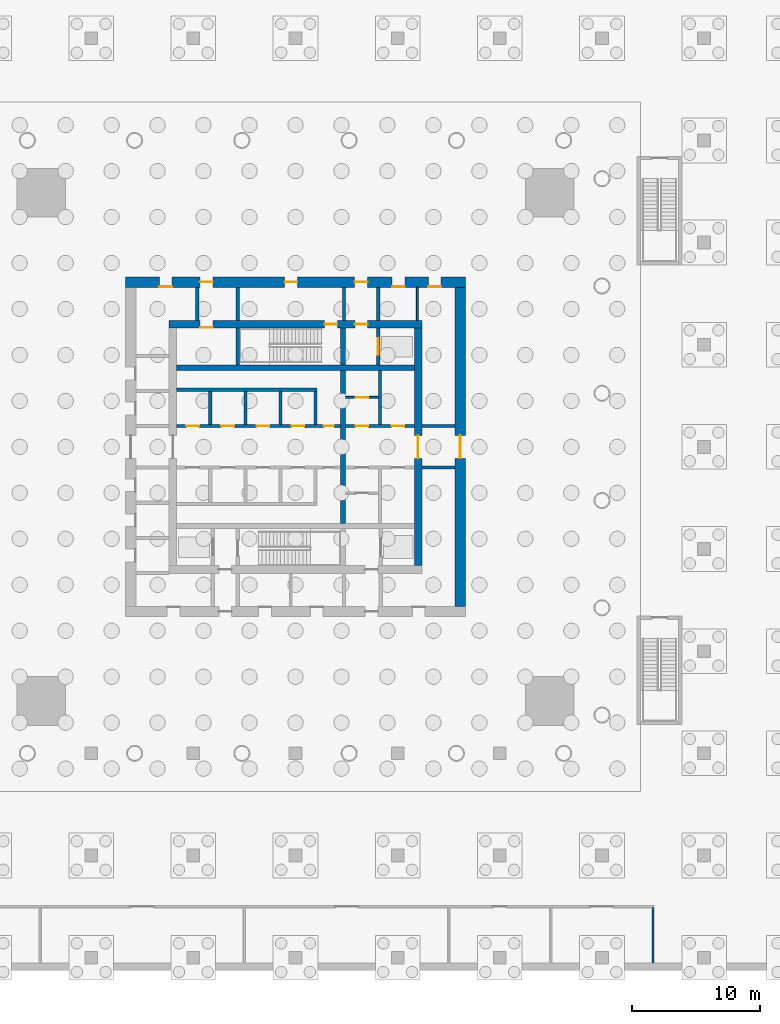
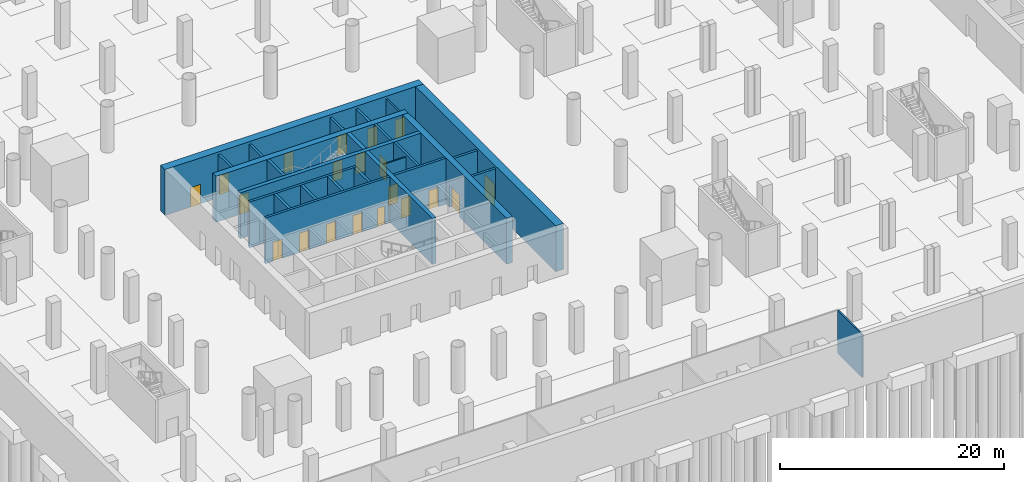
# One storey, part 13 of 24: 26 walls, 20 doors, 20 openings.
"""IFC4 building model written with IfcOpenShell, lengths in metres."""

from ifc_helpers import new_model, si_unit, direction, frame, frame_2d, origin, place, context, subcontext, project, spatial, rectangle, extrude, material, layer, layer_set, type_object, element, fill, save


model = new_model("IFC4")

# Units and contexts
model_context = context("Model", 3, precision=1e-05, world=origin(), true_north=direction((0.0, 1.0)))
body_context = subcontext(model_context, "Body", "Model", "MODEL_VIEW")
ifc_project = project(units=[si_unit("LENGTHUNIT", "METRE"), si_unit("AREAUNIT", "SQUARE_METRE"), si_unit("VOLUMEUNIT", "CUBIC_METRE"), si_unit("PLANEANGLEUNIT", "RADIAN"), si_unit("MASSUNIT", "GRAM", prefix="KILO")], contexts=[model_context])

# Site, building, storey
site_placement = place(None, origin())
site = spatial("IfcSite", under=ifc_project, at=site_placement, CompositionType="ELEMENT")
building_placement = place(site_placement, origin())
building = spatial("IfcBuilding", under=site, at=building_placement, Name="Ostroluk Exchange", CompositionType="ELEMENT")
storey_placement = place(building_placement, frame((0.0, 0.0, -10.0)))
storey = spatial("IfcBuildingStorey", under=building, at=storey_placement, Name="B2", CompositionType="ELEMENT", Elevation=-10.0)

# Wall, opening, door
ifc_material_1 = material(Name="Concrete blockwork", Category="masonry")
ifc_layer_1 = layer(ifc_material_1, 0.14990234375)
ifc_layer_set_1 = layer_set([ifc_layer_1], Name="Blockwork plant room wall 150")
wall_type_1 = type_object("IfcWallType", Name="Blockwork plant room wall 150", PredefinedType="SOLIDWALL", material=ifc_layer_set_1)
wall_1_placement = place(storey_placement, frame((48.929931640625, 49.875, 0.0), z_axis=(0.0, 0.0, 1.0), x_axis=(1.0, 0.0, 0.0)))
wall_1 = element("IfcWall", 1, at=wall_1_placement, inside=storey, type_object=wall_type_1, Name="Core room wall", PredefinedType="SOLIDWALL", context=body_context, shape_type="SweptSolid", body=[
    extrude(rectangle(XDim=2.56005859375, YDim=0.14990234375, at=frame_2d((1.280029296875, 0.0))), origin(), (0.0, 0.0, 1.0), 4.699951171875),
])
opening_1_placement = place(wall_1_placement, frame((0.780029296875, 0.0, 0.0)))
opening_1 = element("IfcOpeningElement", 2, at=opening_1_placement, cuts=wall_1, Name="Opening FD60", PredefinedType="OPENING", context=body_context, shape_type="SweptSolid", body=[
    extrude(rectangle(XDim=1.0, YDim=2.10009765625, at=frame_2d((0.5, 1.050048828125))), frame((0.0, 0.0849609375, 0.0), z_axis=(0.0, -1.0, 0.0), x_axis=(1.0, 0.0, 0.0)), (0.0, 0.0, 1.0), 0.169921875),
])
ifc_material_2 = material(Name="Steel", Category="steel")
door_type_1 = type_object("IfcDoorType", Name="Fire door EI 60 1000 x 2100", OperationType="SINGLE_SWING_LEFT", PredefinedType="DOOR", material=ifc_material_2)
door_1_placement = place(opening_1_placement, origin())
door_1 = element("IfcDoor", 3, at=door_1_placement, inside=storey, type_object=door_type_1, Name="Equipment store door", OperationType="SINGLE_SWING_LEFT", OverallHeight=2.10009765625, OverallWidth=1.0, PredefinedType="DOOR", context=body_context, shape_type="SweptSolid", body=[
    extrude(rectangle(XDim=1.0, YDim=2.10009765625, at=frame_2d((0.5, 1.050048828125))), frame((0.0, 0.02490234375, 0.0), z_axis=(0.0, -1.0, 0.0), x_axis=(1.0, 0.0, 0.0)), (0.0, 0.0, 1.0), 0.050048828125),
])
fill(opening_1, door_1)

# Walls
wall_2_placement = place(storey_placement, frame((54.550048828125, 55.89990234375, 0.0), z_axis=(0.0, 0.0, 1.0), x_axis=(0.0, 1.0, 0.0)))
element("IfcWall", 4, at=wall_2_placement, inside=storey, type_object=wall_type_1, Name="Core room wall", PredefinedType="SOLIDWALL", context=body_context, shape_type="SweptSolid", body=[
    extrude(rectangle(XDim=2.60009765625, YDim=0.14990234375, at=frame_2d((1.300048828125, 0.0))), origin(), (0.0, 0.0, 1.0), 4.699951171875),
])
ifc_material_3 = material(Name="Concrete blockwork", Category="masonry")
ifc_layer_2 = layer(ifc_material_3, 0.25)
ifc_layer_set_2 = layer_set([ifc_layer_2], Name="Blockwork stair enclosure wall 250")
wall_type_2 = type_object("IfcWallType", Name="Blockwork stair enclosure wall 250", PredefinedType="SOLIDWALL", material=ifc_layer_set_2)
for number, where, z_axis, x_axis, name in (
    (5, (48.804931640625, 55.89990234375, 0.0), (0.0, 0.0, 1.0), (0.0, 1.0, 0.0), "Fire lobby enclosure wall"),
    (6, (51.47509765625, 55.89990234375, 0.0), (0.0, 0.0, 1.0), (0.0, 1.0, 0.0), "Fire lobby enclosure wall"),
    (7, (54.89990234375, 44.375, 0.0), (0.0, 0.0, 1.0), (1.0, 0.0, 0.0), "Lift lobby enclosure wall"),
    (8, (54.89990234375, 47.625, 0.0), (0.0, 0.0, 1.0), (1.0, 0.0, 0.0), "Lift lobby enclosure wall"),
    (9, (40.47509765625, 55.89990234375, 0.0), (0.0, 0.0, 1.0), (0.0, 1.0, 0.0), "Stair lobby enclosure wall"),
    (10, (37.300048828125, 55.89990234375, 0.0), (0.0, 0.0, 1.0), (0.0, 1.0, 0.0), "Core corridor wall"),
):
    element("IfcWall", number, at=place(storey_placement, frame(where, z_axis=z_axis, x_axis=x_axis)), inside=storey, type_object=wall_type_2, Name=name, PredefinedType="SOLIDWALL", context=body_context, shape_type="SweptSolid", body=[
        extrude(rectangle(XDim=2.60009765625, YDim=0.25, at=frame_2d((1.300048828125, 0.0))), origin(), (0.0, 0.0, 1.0), 4.699951171875),
    ])
ifc_material_4 = material(Name="Concrete C50/60", Category="concrete")
ifc_layer_3 = layer(ifc_material_4, 0.39990234375)
ifc_layer_set_3 = layer_set([ifc_layer_3], Name="Core cross wall 400 C50/60")
wall_type_3 = type_object("IfcWallType", Name="Core cross wall 400 C50/60", PredefinedType="SHEAR", material=ifc_layer_set_3)
wall_3_placement = place(storey_placement, frame((35.699951171875, 52.199951171875, 0.0), z_axis=(0.0, 0.0, 1.0), x_axis=(1.0, 0.0, 0.0)))
element("IfcWall", 11, at=wall_3_placement, inside=storey, type_object=wall_type_3, Name="T1 core wall XN", PredefinedType="SHEAR", context=body_context, shape_type="SweptSolid", body=[
    extrude(rectangle(XDim=18.60009765625, YDim=0.39990234375, at=frame_2d((9.300048828125, 0.0))), origin(), (0.0, 0.0, 1.0), 5.0),
])
wall_4_placement = place(storey_placement, frame((48.72998046875, 40.0, 0.0), z_axis=(0.0, 0.0, 1.0), x_axis=(0.0, 1.0, 0.0)))
element("IfcWall", 12, at=wall_4_placement, inside=storey, type_object=wall_type_3, Name="T1 core wall YE2", PredefinedType="SHEAR", context=body_context, shape_type="SweptSolid", body=[
    extrude(rectangle(XDim=12.0, YDim=0.39990234375, at=frame_2d((6.0, 0.0))), origin(), (0.0, 0.0, 1.0), 5.0),
])
wall_5_placement = place(storey_placement, frame((48.72998046875, 52.39990234375, 0.0), z_axis=(0.0, 0.0, 1.0), x_axis=(0.0, 1.0, 0.0)))
element("IfcWall", 13, at=wall_5_placement, inside=storey, type_object=wall_type_3, Name="T1 core wall YE3", PredefinedType="SHEAR", context=body_context, shape_type="SweptSolid", body=[
    extrude(rectangle(XDim=2.900146484375, YDim=0.39990234375, at=frame_2d((1.4501953125, 0.0))), origin(), (0.0, 0.0, 1.0), 5.0),
])
ifc_material_5 = material(Name="Concrete C40/50", Category="concrete")
ifc_layer_4 = layer(ifc_material_5, 0.25)
ifc_layer_set_4 = layer_set([ifc_layer_4], Name="Core shaft wall 250")
wall_type_4 = type_object("IfcWallType", Name="Core shaft wall 250", PredefinedType="SHEAR", material=ifc_layer_set_4)
wall_6_placement = place(storey_placement, frame((40.47509765625, 52.39990234375, 0.0), z_axis=(0.0, 0.0, 1.0), x_axis=(0.0, 1.0, 0.0)))
element("IfcWall", 14, at=wall_6_placement, inside=storey, type_object=wall_type_4, Name="Stair shaft wall", PredefinedType="SHEAR", context=body_context, shape_type="SweptSolid", body=[
    extrude(rectangle(XDim=2.900146484375, YDim=0.25, at=frame_2d((1.4501953125, 0.0))), origin(), (0.0, 0.0, 1.0), 5.0),
])

# Wall, opening, door
wall_7_placement = place(storey_placement, frame((51.47509765625, 52.39990234375, 0.0), z_axis=(0.0, 0.0, 1.0), x_axis=(0.0, 1.0, 0.0)))
wall_7 = element("IfcWall", 15, at=wall_7_placement, inside=storey, type_object=wall_type_4, Name="Firefighting lift shaft wall", PredefinedType="SHEAR", context=body_context, shape_type="SweptSolid", body=[
    extrude(rectangle(XDim=2.900146484375, YDim=0.25, at=frame_2d((1.4501953125, 0.0))), origin(), (0.0, 0.0, 1.0), 5.0),
])
opening_2_placement = place(wall_7_placement, frame((0.800048828125, 0.0, 0.0)))
opening_2 = element("IfcOpeningElement", 16, at=opening_2_placement, cuts=wall_7, Name="Opening LD2", PredefinedType="OPENING", context=body_context, shape_type="SweptSolid", body=[
    extrude(rectangle(XDim=1.300048828125, YDim=2.199951171875, at=frame_2d((0.64990234375, 1.10009765625))), frame((0.0, 0.135009765625, 0.0), z_axis=(0.0, -1.0, 0.0), x_axis=(1.0, 0.0, 0.0)), (0.0, 0.0, 1.0), 0.27001953125),
])
ifc_material_6 = material(Name="Stainless steel", Category="steel")
door_type_2 = type_object("IfcDoorType", Name="Lift landing door E 60 1300 x 2200", OperationType="DOUBLE_DOOR_SLIDING", PredefinedType="DOOR", material=ifc_material_6)
door_2_placement = place(opening_2_placement, origin())
door_2 = element("IfcDoor", 17, at=door_2_placement, inside=storey, type_object=door_type_2, Name="Lift FL2 landing door", OperationType="DOUBLE_DOOR_SLIDING", OverallHeight=2.199951171875, OverallWidth=1.300048828125, PredefinedType="DOOR", context=body_context, shape_type="SweptSolid", body=[
    extrude(rectangle(XDim=1.300048828125, YDim=2.199951171875, at=frame_2d((0.64990234375, 1.10009765625))), frame((0.0, 0.02490234375, 0.0), z_axis=(0.0, -1.0, 0.0), x_axis=(1.0, 0.0, 0.0)), (0.0, 0.0, 1.0), 0.050048828125),
])
fill(opening_2, door_2)

# Walls
for number, where, z_axis, x_axis, name in (
    (18, (38.324951171875, 47.75, 0.0), (0.0, 0.0, 1.0), (0.0, 1.0, 0.0), "Lift shaft wall"),
    (19, (41.074951171875, 47.75, 0.0), (0.0, 0.0, 1.0), (0.0, 1.0, 0.0), "Lift shaft wall"),
    (20, (43.824951171875, 47.75, 0.0), (0.0, 0.0, 1.0), (0.0, 1.0, 0.0), "Lift shaft wall"),
    (21, (46.574951171875, 47.75, 0.0), (0.0, 0.0, 1.0), (0.0, 1.0, 0.0), "Lift shaft wall"),
):
    element("IfcWall", number, at=place(storey_placement, frame(where, z_axis=z_axis, x_axis=x_axis)), inside=storey, type_object=wall_type_4, Name=name, PredefinedType="SHEAR", context=body_context, shape_type="SweptSolid", body=[
        extrude(rectangle(XDim=2.60009765625, YDim=0.25, at=frame_2d((1.300048828125, 0.0))), origin(), (0.0, 0.0, 1.0), 5.0),
    ])
wall_8_placement = place(storey_placement, frame((35.699951171875, 50.47509765625, 0.0), z_axis=(0.0, 0.0, 1.0), x_axis=(1.0, 0.0, 0.0)))
element("IfcWall", 22, at=wall_8_placement, inside=storey, type_object=wall_type_4, Name="Lift shaft wall", PredefinedType="SHEAR", context=body_context, shape_type="SweptSolid", body=[
    extrude(rectangle(XDim=11.0, YDim=0.25, at=frame_2d((5.5, 0.0))), origin(), (0.0, 0.0, 1.0), 5.0),
])

# Wall, openings, doors
wall_9_placement = place(storey_placement, frame((35.699951171875, 47.625, 0.0), z_axis=(0.0, 0.0, 1.0), x_axis=(1.0, 0.0, 0.0)))
wall_9 = element("IfcWall", 23, at=wall_9_placement, inside=storey, type_object=wall_type_4, Name="Lift shaft front wall", PredefinedType="SHEAR", context=body_context, shape_type="SweptSolid", body=[
    extrude(rectangle(XDim=12.830078125, YDim=0.25, at=frame_2d((6.4150390625, 0.0))), origin(), (0.0, 0.0, 1.0), 5.0),
])
opening_3_placement = place(wall_9_placement, frame((0.75, 0.0, 0.0)))
opening_3 = element("IfcOpeningElement", 24, at=opening_3_placement, cuts=wall_9, Name="Opening FD60", PredefinedType="OPENING", context=body_context, shape_type="SweptSolid", body=[
    extrude(rectangle(XDim=1.0, YDim=2.10009765625, at=frame_2d((0.5, 1.050048828125))), frame((0.0, 0.135009765625, 0.0), z_axis=(0.0, -1.0, 0.0), x_axis=(1.0, 0.0, 0.0)), (0.0, 0.0, 1.0), 0.27001953125),
])
opening_4_placement = place(wall_9_placement, frame((3.5, 0.0, 0.0)))
opening_4 = element("IfcOpeningElement", 25, at=opening_4_placement, cuts=wall_9, Name="Opening FD60", PredefinedType="OPENING", context=body_context, shape_type="SweptSolid", body=[
    extrude(rectangle(XDim=1.0, YDim=2.10009765625, at=frame_2d((0.5, 1.050048828125))), frame((0.0, 0.135009765625, 0.0), z_axis=(0.0, -1.0, 0.0), x_axis=(1.0, 0.0, 0.0)), (0.0, 0.0, 1.0), 0.27001953125),
])
opening_5_placement = place(wall_9_placement, frame((6.25, 0.0, 0.0)))
opening_5 = element("IfcOpeningElement", 26, at=opening_5_placement, cuts=wall_9, Name="Opening FD60", PredefinedType="OPENING", context=body_context, shape_type="SweptSolid", body=[
    extrude(rectangle(XDim=1.0, YDim=2.10009765625, at=frame_2d((0.5, 1.050048828125))), frame((0.0, 0.135009765625, 0.0), z_axis=(0.0, -1.0, 0.0), x_axis=(1.0, 0.0, 0.0)), (0.0, 0.0, 1.0), 0.27001953125),
])
opening_6_placement = place(wall_9_placement, frame((9.0, 0.0, 0.0)))
opening_6 = element("IfcOpeningElement", 27, at=opening_6_placement, cuts=wall_9, Name="Opening FD60", PredefinedType="OPENING", context=body_context, shape_type="SweptSolid", body=[
    extrude(rectangle(XDim=1.0, YDim=2.10009765625, at=frame_2d((0.5, 1.050048828125))), frame((0.0, 0.135009765625, 0.0), z_axis=(0.0, -1.0, 0.0), x_axis=(1.0, 0.0, 0.0)), (0.0, 0.0, 1.0), 0.27001953125),
])
opening_7_placement = place(wall_9_placement, frame((11.514892578125, 0.0, 0.0)))
opening_7 = element("IfcOpeningElement", 28, at=opening_7_placement, cuts=wall_9, Name="Opening RD60", PredefinedType="OPENING", context=body_context, shape_type="SweptSolid", body=[
    extrude(rectangle(XDim=0.800048828125, YDim=2.0, at=frame_2d((0.39990234375, 1.0))), frame((0.0, 0.135009765625, 0.0), z_axis=(0.0, -1.0, 0.0), x_axis=(1.0, 0.0, 0.0)), (0.0, 0.0, 1.0), 0.27001953125),
])
door_3_placement = place(opening_3_placement, origin())
door_3 = element("IfcDoor", 29, at=door_3_placement, inside=storey, type_object=door_type_1, Name="Core room door", OperationType="SINGLE_SWING_LEFT", OverallHeight=2.10009765625, OverallWidth=1.0, PredefinedType="DOOR", context=body_context, shape_type="SweptSolid", body=[
    extrude(rectangle(XDim=1.0, YDim=2.10009765625, at=frame_2d((0.5, 1.050048828125))), frame((0.0, 0.02490234375, 0.0), z_axis=(0.0, -1.0, 0.0), x_axis=(1.0, 0.0, 0.0)), (0.0, 0.0, 1.0), 0.050048828125),
])
fill(opening_3, door_3)
door_4_placement = place(opening_4_placement, origin())
door_4 = element("IfcDoor", 30, at=door_4_placement, inside=storey, type_object=door_type_1, Name="Core room door", OperationType="SINGLE_SWING_LEFT", OverallHeight=2.10009765625, OverallWidth=1.0, PredefinedType="DOOR", context=body_context, shape_type="SweptSolid", body=[
    extrude(rectangle(XDim=1.0, YDim=2.10009765625, at=frame_2d((0.5, 1.050048828125))), frame((0.0, 0.02490234375, 0.0), z_axis=(0.0, -1.0, 0.0), x_axis=(1.0, 0.0, 0.0)), (0.0, 0.0, 1.0), 0.050048828125),
])
fill(opening_4, door_4)
door_5_placement = place(opening_5_placement, origin())
door_5 = element("IfcDoor", 31, at=door_5_placement, inside=storey, type_object=door_type_1, Name="Core room door", OperationType="SINGLE_SWING_RIGHT", OverallHeight=2.10009765625, OverallWidth=1.0, PredefinedType="DOOR", context=body_context, shape_type="SweptSolid", body=[
    extrude(rectangle(XDim=1.0, YDim=2.10009765625, at=frame_2d((0.5, 1.050048828125))), frame((0.0, 0.02490234375, 0.0), z_axis=(0.0, -1.0, 0.0), x_axis=(1.0, 0.0, 0.0)), (0.0, 0.0, 1.0), 0.050048828125),
])
fill(opening_5, door_5)
door_6_placement = place(opening_6_placement, origin())
door_6 = element("IfcDoor", 32, at=door_6_placement, inside=storey, type_object=door_type_1, Name="Core room door", OperationType="SINGLE_SWING_RIGHT", OverallHeight=2.10009765625, OverallWidth=1.0, PredefinedType="DOOR", context=body_context, shape_type="SweptSolid", body=[
    extrude(rectangle(XDim=1.0, YDim=2.10009765625, at=frame_2d((0.5, 1.050048828125))), frame((0.0, 0.02490234375, 0.0), z_axis=(0.0, -1.0, 0.0), x_axis=(1.0, 0.0, 0.0)), (0.0, 0.0, 1.0), 0.050048828125),
])
fill(opening_6, door_6)
ifc_material_7 = material(Name="Steel", Category="steel")
door_type_3 = type_object("IfcDoorType", Name="Riser access door EI 60 800 x 2000", OperationType="SINGLE_SWING_LEFT", PredefinedType="DOOR", material=ifc_material_7)
door_7_placement = place(opening_7_placement, origin())
door_7 = element("IfcDoor", 33, at=door_7_placement, inside=storey, type_object=door_type_3, Name="Riser access door", OperationType="SINGLE_SWING_RIGHT", OverallHeight=2.0, OverallWidth=0.800048828125, PredefinedType="DOOR", context=body_context, shape_type="SweptSolid", body=[
    extrude(rectangle(XDim=0.800048828125, YDim=2.0, at=frame_2d((0.39990234375, 1.0))), frame((0.0, 0.02490234375, 0.0), z_axis=(0.0, -1.0, 0.0), x_axis=(1.0, 0.0, 0.0)), (0.0, 0.0, 1.0), 0.050048828125),
])
fill(opening_7, door_7)

# Wall
wall_10_placement = place(storey_placement, frame((51.614990234375, 47.75, 0.0), z_axis=(0.0, 0.0, 1.0), x_axis=(0.0, 1.0, 0.0)))
element("IfcWall", 34, at=wall_10_placement, inside=storey, type_object=wall_type_4, Name="Lift shaft wall", PredefinedType="SHEAR", context=body_context, shape_type="SweptSolid", body=[
    extrude(rectangle(XDim=4.25, YDim=0.25, at=frame_2d((2.125, 0.0))), origin(), (0.0, 0.0, 1.0), 5.0),
])

# Wall, openings, doors
wall_11_placement = place(storey_placement, frame((48.929931640625, 47.625, 0.0), z_axis=(0.0, 0.0, 1.0), x_axis=(1.0, 0.0, 0.0)))
wall_11 = element("IfcWall", 35, at=wall_11_placement, inside=storey, type_object=wall_type_4, Name="Lift shaft front wall", PredefinedType="SHEAR", context=body_context, shape_type="SweptSolid", body=[
    extrude(rectangle(XDim=5.3701171875, YDim=0.25, at=frame_2d((2.68505859375, 0.0))), origin(), (0.0, 0.0, 1.0), 5.0),
])
opening_8_placement = place(wall_11_placement, frame((0.780029296875, 0.0, 0.0)))
opening_8 = element("IfcOpeningElement", 36, at=opening_8_placement, cuts=wall_11, Name="Opening FD60", PredefinedType="OPENING", context=body_context, shape_type="SweptSolid", body=[
    extrude(rectangle(XDim=1.0, YDim=2.10009765625, at=frame_2d((0.5, 1.050048828125))), frame((0.0, 0.135009765625, 0.0), z_axis=(0.0, -1.0, 0.0), x_axis=(1.0, 0.0, 0.0)), (0.0, 0.0, 1.0), 0.27001953125),
])
opening_9_placement = place(wall_11_placement, frame((3.590087890625, 0.0, 0.0)))
opening_9 = element("IfcOpeningElement", 37, at=opening_9_placement, cuts=wall_11, Name="Opening FD60", PredefinedType="OPENING", context=body_context, shape_type="SweptSolid", body=[
    extrude(rectangle(XDim=1.0, YDim=2.10009765625, at=frame_2d((0.5, 1.050048828125))), frame((0.0, 0.135009765625, 0.0), z_axis=(0.0, -1.0, 0.0), x_axis=(1.0, 0.0, 0.0)), (0.0, 0.0, 1.0), 0.27001953125),
])
door_8_placement = place(opening_8_placement, origin())
door_8 = element("IfcDoor", 38, at=door_8_placement, inside=storey, type_object=door_type_1, Name="Core room door", OperationType="SINGLE_SWING_LEFT", OverallHeight=2.10009765625, OverallWidth=1.0, PredefinedType="DOOR", context=body_context, shape_type="SweptSolid", body=[
    extrude(rectangle(XDim=1.0, YDim=2.10009765625, at=frame_2d((0.5, 1.050048828125))), frame((0.0, 0.02490234375, 0.0), z_axis=(0.0, -1.0, 0.0), x_axis=(1.0, 0.0, 0.0)), (0.0, 0.0, 1.0), 0.050048828125),
])
fill(opening_8, door_8)
door_9_placement = place(opening_9_placement, origin())
door_9 = element("IfcDoor", 39, at=door_9_placement, inside=storey, type_object=door_type_1, Name="Core room door", OperationType="SINGLE_SWING_RIGHT", OverallHeight=2.10009765625, OverallWidth=1.0, PredefinedType="DOOR", context=body_context, shape_type="SweptSolid", body=[
    extrude(rectangle(XDim=1.0, YDim=2.10009765625, at=frame_2d((0.5, 1.050048828125))), frame((0.0, 0.02490234375, 0.0), z_axis=(0.0, -1.0, 0.0), x_axis=(1.0, 0.0, 0.0)), (0.0, 0.0, 1.0), 0.050048828125),
])
fill(opening_9, door_9)

ifc_material_8 = material(Name="Concrete C50/60", Category="concrete")
ifc_layer_5 = layer(ifc_material_8, 0.60009765625)
ifc_layer_set_5 = layer_set([ifc_layer_5], Name="Core wall 600 C50/60")
wall_type_5 = type_object("IfcWallType", Name="Core wall 600 C50/60", PredefinedType="SHEAR", material=ifc_layer_set_5)
wall_12_placement = place(storey_placement, frame((35.10009765625, 55.60009765625, 0.0), z_axis=(0.0, 0.0, 1.0), x_axis=(1.0, 0.0, 0.0)))
wall_12 = element("IfcWall", 40, at=wall_12_placement, inside=storey, type_object=wall_type_5, Name="T1 core wall N", PredefinedType="SHEAR", context=body_context, shape_type="SweptSolid", body=[
    extrude(rectangle(XDim=19.7998046875, YDim=0.60009765625, at=frame_2d((9.89990234375, 0.0))), origin(), (0.0, 0.0, 1.0), 5.0),
])
opening_10_placement = place(wall_12_placement, frame((14.5400390625, 0.0, 0.0)))
opening_10 = element("IfcOpeningElement", 41, at=opening_10_placement, cuts=wall_12, Name="Opening FD60", PredefinedType="OPENING", context=body_context, shape_type="SweptSolid", body=[
    extrude(rectangle(XDim=1.0, YDim=2.10009765625, at=frame_2d((0.5, 1.050048828125))), frame((0.0, 0.31005859375, 0.0), z_axis=(0.0, -1.0, 0.0), x_axis=(1.0, 0.0, 0.0)), (0.0, 0.0, 1.0), 0.6201171875),
])
opening_11_placement = place(wall_12_placement, frame((12.179931640625, 0.0, 0.0)))
opening_11 = element("IfcOpeningElement", 42, at=opening_11_placement, cuts=wall_12, Name="Opening FD60", PredefinedType="OPENING", context=body_context, shape_type="SweptSolid", body=[
    extrude(rectangle(XDim=1.0, YDim=2.10009765625, at=frame_2d((0.5, 1.050048828125))), frame((0.0, 0.31005859375, 0.0), z_axis=(0.0, -1.0, 0.0), x_axis=(1.0, 0.0, 0.0)), (0.0, 0.0, 1.0), 0.6201171875),
])
opening_12_placement = place(wall_12_placement, frame((2.425048828125, 0.0, 0.0)))
opening_12 = element("IfcOpeningElement", 43, at=opening_12_placement, cuts=wall_12, Name="Opening FD60", PredefinedType="OPENING", context=body_context, shape_type="SweptSolid", body=[
    extrude(rectangle(XDim=1.0, YDim=2.10009765625, at=frame_2d((0.5, 1.050048828125))), frame((0.0, 0.31005859375, 0.0), z_axis=(0.0, -1.0, 0.0), x_axis=(1.0, 0.0, 0.0)), (0.0, 0.0, 1.0), 0.6201171875),
])
door_10_placement = place(opening_10_placement, origin())
door_10 = element("IfcDoor", 44, at=door_10_placement, inside=storey, type_object=door_type_1, Name="Firefighting lobby door", OperationType="SINGLE_SWING_RIGHT", OverallHeight=2.10009765625, OverallWidth=1.0, PredefinedType="DOOR", context=body_context, shape_type="SweptSolid", body=[
    extrude(rectangle(XDim=1.0, YDim=2.10009765625, at=frame_2d((0.5, 1.050048828125))), frame((0.0, 0.02490234375, 0.0), z_axis=(0.0, -1.0, 0.0), x_axis=(1.0, 0.0, 0.0)), (0.0, 0.0, 1.0), 0.050048828125),
])
fill(opening_10, door_10)
door_11_placement = place(opening_11_placement, origin())
door_11 = element("IfcDoor", 45, at=door_11_placement, inside=storey, type_object=door_type_1, Name="Stair T1-S2 door", OperationType="SINGLE_SWING_RIGHT", OverallHeight=2.10009765625, OverallWidth=1.0, PredefinedType="DOOR", context=body_context, shape_type="SweptSolid", body=[
    extrude(rectangle(XDim=1.0, YDim=2.10009765625, at=frame_2d((0.5, 1.050048828125))), frame((0.0, 0.02490234375, 0.0), z_axis=(0.0, -1.0, 0.0), x_axis=(1.0, 0.0, 0.0)), (0.0, 0.0, 1.0), 0.050048828125),
])
fill(opening_11, door_11)
door_12_placement = place(opening_12_placement, origin())
door_12 = element("IfcDoor", 46, at=door_12_placement, inside=storey, type_object=door_type_1, Name="Electrical switch room door", OperationType="SINGLE_SWING_LEFT", OverallHeight=2.10009765625, OverallWidth=1.0, PredefinedType="DOOR", context=body_context, shape_type="SweptSolid", body=[
    extrude(rectangle(XDim=1.0, YDim=2.10009765625, at=frame_2d((0.5, 1.050048828125))), frame((0.0, -0.23974609375, 0.0), z_axis=(0.0, -1.0, 0.0), x_axis=(1.0, 0.0, 0.0)), (0.0, 0.0, 1.0), 0.050048828125),
])
fill(opening_12, door_12)

# Wall, opening, door
wall_13_placement = place(storey_placement, frame((54.60009765625, 36.699951171875, 0.0), z_axis=(0.0, 0.0, 1.0), x_axis=(0.0, 1.0, 0.0)))
wall_13 = element("IfcWall", 47, at=wall_13_placement, inside=storey, type_object=wall_type_5, Name="T1 core wall E", PredefinedType="SHEAR", context=body_context, shape_type="SweptSolid", body=[
    extrude(rectangle(XDim=18.60009765625, YDim=0.60009765625, at=frame_2d((9.300048828125, 0.0))), origin(), (0.0, 0.0, 1.0), 5.0),
])
opening_13_placement = place(wall_13_placement, frame((8.39990234375, 0.0, 0.0)))
opening_13 = element("IfcOpeningElement", 48, at=opening_13_placement, cuts=wall_13, Name="Opening FD30D", PredefinedType="OPENING", context=body_context, shape_type="SweptSolid", body=[
    extrude(rectangle(XDim=1.800048828125, YDim=2.39990234375, at=frame_2d((0.89990234375, 1.199951171875))), frame((0.0, 0.31005859375, 0.0), z_axis=(0.0, -1.0, 0.0), x_axis=(1.0, 0.0, 0.0)), (0.0, 0.0, 1.0), 0.6201171875),
])
ifc_material_9 = material(Name="Timber", Category="wood")
door_type_4 = type_object("IfcDoorType", Name="Lobby double door EI 30 1800 x 2400", OperationType="DOUBLE_DOOR_SINGLE_SWING", PredefinedType="DOOR", material=ifc_material_9)
door_13_placement = place(opening_13_placement, origin())
door_13 = element("IfcDoor", 49, at=door_13_placement, inside=storey, type_object=door_type_4, Name="Lift lobby doors", OperationType="DOUBLE_DOOR_SINGLE_SWING", OverallHeight=2.39990234375, OverallWidth=1.800048828125, PredefinedType="DOOR", context=body_context, shape_type="SweptSolid", body=[
    extrude(rectangle(XDim=1.800048828125, YDim=2.39990234375, at=frame_2d((0.89990234375, 1.199951171875))), frame((0.0, 0.02490234375, 0.0), z_axis=(0.0, -1.0, 0.0), x_axis=(1.0, 0.0, 0.0)), (0.0, 0.0, 1.0), 0.050048828125),
])
fill(opening_13, door_13)

# Wall, openings, doors
ifc_material_10 = material(Name="Concrete C50/60", Category="concrete")
ifc_layer_6 = layer(ifc_material_10, 0.800048828125)
ifc_layer_set_6 = layer_set([ifc_layer_6], Name="Core wall 800 C50/60")
wall_type_6 = type_object("IfcWallType", Name="Core wall 800 C50/60", PredefinedType="SHEAR", material=ifc_layer_set_6)
wall_14_placement = place(storey_placement, frame((31.699951171875, 58.89990234375, 0.0), z_axis=(0.0, 0.0, 1.0), x_axis=(1.0, 0.0, 0.0)))
wall_14 = element("IfcWall", 50, at=wall_14_placement, inside=storey, type_object=wall_type_6, Name="T1 core wall RN", PredefinedType="SHEAR", context=body_context, shape_type="SweptSolid", body=[
    extrude(rectangle(XDim=26.60009765625, YDim=0.800048828125, at=frame_2d((13.300048828125, 0.0))), origin(), (0.0, 0.0, 1.0), 5.0),
])
opening_14_placement = place(wall_14_placement, frame((17.93994140625, 0.0, 0.0)))
opening_14 = element("IfcOpeningElement", 51, at=opening_14_placement, cuts=wall_14, Name="Opening FD60", PredefinedType="OPENING", context=body_context, shape_type="SweptSolid", body=[
    extrude(rectangle(XDim=1.0, YDim=2.10009765625, at=frame_2d((0.5, 1.050048828125))), frame((0.0, 0.409912109375, 0.0), z_axis=(0.0, -1.0, 0.0), x_axis=(1.0, 0.0, 0.0)), (0.0, 0.0, 1.0), 0.820068359375),
])
opening_15_placement = place(wall_14_placement, frame((12.43994140625, 0.0, 0.0)))
opening_15 = element("IfcOpeningElement", 52, at=opening_15_placement, cuts=wall_14, Name="Opening FD60", PredefinedType="OPENING", context=body_context, shape_type="SweptSolid", body=[
    extrude(rectangle(XDim=1.0, YDim=2.10009765625, at=frame_2d((0.5, 1.050048828125))), frame((0.0, 0.409912109375, 0.0), z_axis=(0.0, -1.0, 0.0), x_axis=(1.0, 0.0, 0.0)), (0.0, 0.0, 1.0), 0.820068359375),
])
opening_16_placement = place(wall_14_placement, frame((5.824951171875, 0.0, 0.0)))
opening_16 = element("IfcOpeningElement", 53, at=opening_16_placement, cuts=wall_14, Name="Opening FD60", PredefinedType="OPENING", context=body_context, shape_type="SweptSolid", body=[
    extrude(rectangle(XDim=1.0, YDim=2.10009765625, at=frame_2d((0.5, 1.050048828125))), frame((0.0, 0.409912109375, 0.0), z_axis=(0.0, -1.0, 0.0), x_axis=(1.0, 0.0, 0.0)), (0.0, 0.0, 1.0), 0.820068359375),
])
opening_17_placement = place(wall_14_placement, frame((2.637451171875, 0.0, 0.0)))
opening_17 = element("IfcOpeningElement", 54, at=opening_17_placement, cuts=wall_14, Name="Opening FD60", PredefinedType="OPENING", context=body_context, shape_type="SweptSolid", body=[
    extrude(rectangle(XDim=1.0, YDim=2.10009765625, at=frame_2d((0.5, 1.050048828125))), frame((0.0, 0.409912109375, 0.0), z_axis=(0.0, -1.0, 0.0), x_axis=(1.0, 0.0, 0.0)), (0.0, 0.0, 1.0), 0.820068359375),
])
opening_18_placement = place(wall_14_placement, frame((20.875, 0.0, 0.0)))
opening_18 = element("IfcOpeningElement", 55, at=opening_18_placement, cuts=wall_14, Name="Opening FD60", PredefinedType="OPENING", context=body_context, shape_type="SweptSolid", body=[
    extrude(rectangle(XDim=1.0, YDim=2.10009765625, at=frame_2d((0.5, 1.050048828125))), frame((0.0, 0.409912109375, 0.0), z_axis=(0.0, -1.0, 0.0), x_axis=(1.0, 0.0, 0.0)), (0.0, 0.0, 1.0), 0.820068359375),
])
opening_19_placement = place(wall_14_placement, frame((23.699951171875, 0.0, 0.0)))
opening_19 = element("IfcOpeningElement", 56, at=opening_19_placement, cuts=wall_14, Name="Opening FD60", PredefinedType="OPENING", context=body_context, shape_type="SweptSolid", body=[
    extrude(rectangle(XDim=1.0, YDim=2.10009765625, at=frame_2d((0.5, 1.050048828125))), frame((0.0, 0.409912109375, 0.0), z_axis=(0.0, -1.0, 0.0), x_axis=(1.0, 0.0, 0.0)), (0.0, 0.0, 1.0), 0.820068359375),
])
door_14_placement = place(opening_14_placement, origin())
door_14 = element("IfcDoor", 57, at=door_14_placement, inside=storey, type_object=door_type_1, Name="Firefighting lobby door", OperationType="SINGLE_SWING_RIGHT", OverallHeight=2.10009765625, OverallWidth=1.0, PredefinedType="DOOR", context=body_context, shape_type="SweptSolid", body=[
    extrude(rectangle(XDim=1.0, YDim=2.10009765625, at=frame_2d((0.5, 1.050048828125))), frame((0.0, 0.02490234375, 0.0), z_axis=(0.0, -1.0, 0.0), x_axis=(1.0, 0.0, 0.0)), (0.0, 0.0, 1.0), 0.050048828125),
])
fill(opening_14, door_14)
door_15_placement = place(opening_15_placement, origin())
door_15 = element("IfcDoor", 58, at=door_15_placement, inside=storey, type_object=door_type_1, Name="Stair lobby door", OperationType="SINGLE_SWING_LEFT", OverallHeight=2.10009765625, OverallWidth=1.0, PredefinedType="DOOR", context=body_context, shape_type="SweptSolid", body=[
    extrude(rectangle(XDim=1.0, YDim=2.10009765625, at=frame_2d((0.5, 1.050048828125))), frame((0.0, 0.02490234375, 0.0), z_axis=(0.0, -1.0, 0.0), x_axis=(1.0, 0.0, 0.0)), (0.0, 0.0, 1.0), 0.050048828125),
])
fill(opening_15, door_15)
door_16_placement = place(opening_16_placement, origin())
door_16 = element("IfcDoor", 59, at=door_16_placement, inside=storey, type_object=door_type_1, Name="Core corridor door", OperationType="SINGLE_SWING_LEFT", OverallHeight=2.10009765625, OverallWidth=1.0, PredefinedType="DOOR", context=body_context, shape_type="SweptSolid", body=[
    extrude(rectangle(XDim=1.0, YDim=2.10009765625, at=frame_2d((0.5, 1.050048828125))), frame((0.0, 0.02490234375, 0.0), z_axis=(0.0, -1.0, 0.0), x_axis=(1.0, 0.0, 0.0)), (0.0, 0.0, 1.0), 0.050048828125),
])
fill(opening_16, door_16)
door_17_placement = place(opening_17_placement, origin())
door_17 = element("IfcDoor", 60, at=door_17_placement, inside=storey, type_object=door_type_1, Name="Electrical switch room door", OperationType="SINGLE_SWING_LEFT", OverallHeight=2.10009765625, OverallWidth=1.0, PredefinedType="DOOR", context=body_context, shape_type="SweptSolid", body=[
    extrude(rectangle(XDim=1.0, YDim=2.10009765625, at=frame_2d((0.5, 1.050048828125))), frame((0.0, -0.33984375, 0.0), z_axis=(0.0, -1.0, 0.0), x_axis=(1.0, 0.0, 0.0)), (0.0, 0.0, 1.0), 0.050048828125),
])
fill(opening_17, door_17)
door_18_placement = place(opening_18_placement, origin())
door_18 = element("IfcDoor", 61, at=door_18_placement, inside=storey, type_object=door_type_1, Name="Waste store door", OperationType="SINGLE_SWING_RIGHT", OverallHeight=2.10009765625, OverallWidth=1.0, PredefinedType="DOOR", context=body_context, shape_type="SweptSolid", body=[
    extrude(rectangle(XDim=1.0, YDim=2.10009765625, at=frame_2d((0.5, 1.050048828125))), frame((0.0, -0.33984375, 0.0), z_axis=(0.0, -1.0, 0.0), x_axis=(1.0, 0.0, 0.0)), (0.0, 0.0, 1.0), 0.050048828125),
])
fill(opening_18, door_18)
door_19_placement = place(opening_19_placement, origin())
door_19 = element("IfcDoor", 62, at=door_19_placement, inside=storey, type_object=door_type_1, Name="Security equipment store door", OperationType="SINGLE_SWING_RIGHT", OverallHeight=2.10009765625, OverallWidth=1.0, PredefinedType="DOOR", context=body_context, shape_type="SweptSolid", body=[
    extrude(rectangle(XDim=1.0, YDim=2.10009765625, at=frame_2d((0.5, 1.050048828125))), frame((0.0, -0.33984375, 0.0), z_axis=(0.0, -1.0, 0.0), x_axis=(1.0, 0.0, 0.0)), (0.0, 0.0, 1.0), 0.050048828125),
])
fill(opening_19, door_19)

# Wall, opening, door
wall_15_placement = place(storey_placement, frame((57.89990234375, 33.5, 0.0), z_axis=(0.0, 0.0, 1.0), x_axis=(0.0, 1.0, 0.0)))
wall_15 = element("IfcWall", 63, at=wall_15_placement, inside=storey, type_object=wall_type_6, Name="T1 core wall RE", PredefinedType="SHEAR", context=body_context, shape_type="SweptSolid", body=[
    extrude(rectangle(XDim=25.0, YDim=0.800048828125, at=frame_2d((12.5, 0.0))), origin(), (0.0, 0.0, 1.0), 5.0),
])
opening_20_placement = place(wall_15_placement, frame((11.60009765625, 0.0, 0.0)))
opening_20 = element("IfcOpeningElement", 64, at=opening_20_placement, cuts=wall_15, Name="Opening FD30D", PredefinedType="OPENING", context=body_context, shape_type="SweptSolid", body=[
    extrude(rectangle(XDim=1.800048828125, YDim=2.39990234375, at=frame_2d((0.89990234375, 1.199951171875))), frame((0.0, 0.409912109375, 0.0), z_axis=(0.0, -1.0, 0.0), x_axis=(1.0, 0.0, 0.0)), (0.0, 0.0, 1.0), 0.820068359375),
])
door_20_placement = place(opening_20_placement, origin())
door_20 = element("IfcDoor", 65, at=door_20_placement, inside=storey, type_object=door_type_4, Name="Lift lobby doors", OperationType="DOUBLE_DOOR_SINGLE_SWING", OverallHeight=2.39990234375, OverallWidth=1.800048828125, PredefinedType="DOOR", context=body_context, shape_type="SweptSolid", body=[
    extrude(rectangle(XDim=1.800048828125, YDim=2.39990234375, at=frame_2d((0.89990234375, 1.199951171875))), frame((0.0, 0.02490234375, 0.0), z_axis=(0.0, -1.0, 0.0), x_axis=(1.0, 0.0, 0.0)), (0.0, 0.0, 1.0), 0.050048828125),
])
fill(opening_20, door_20)

# Wall
ifc_material_11 = material(Name="Gypsum plasterboard partition", Category="gypsum")
ifc_layer_7 = layer(ifc_material_11, 0.14990234375)
ifc_layer_set_7 = layer_set([ifc_layer_7], Name="Plasterboard partition 150")
wall_type_7 = type_object("IfcWallType", Name="Plasterboard partition 150", PredefinedType="PARTITIONING", material=ifc_layer_set_7)
wall_16_placement = place(storey_placement, frame((73.0, 9.925048828125, 0.0), z_axis=(0.0, 0.0, 1.0), x_axis=(0.0, -1.0, 0.0)))
element("IfcWall", 66, at=wall_16_placement, inside=storey, type_object=wall_type_7, Name="Partition", PredefinedType="PARTITIONING", context=body_context, shape_type="SweptSolid", body=[
    extrude(rectangle(XDim=4.324951171875, YDim=0.14990234375, at=frame_2d((2.16259765625, 0.0))), origin(), (0.0, 0.0, 1.0), 4.699951171875),
])

save(model, "model.ifc")
